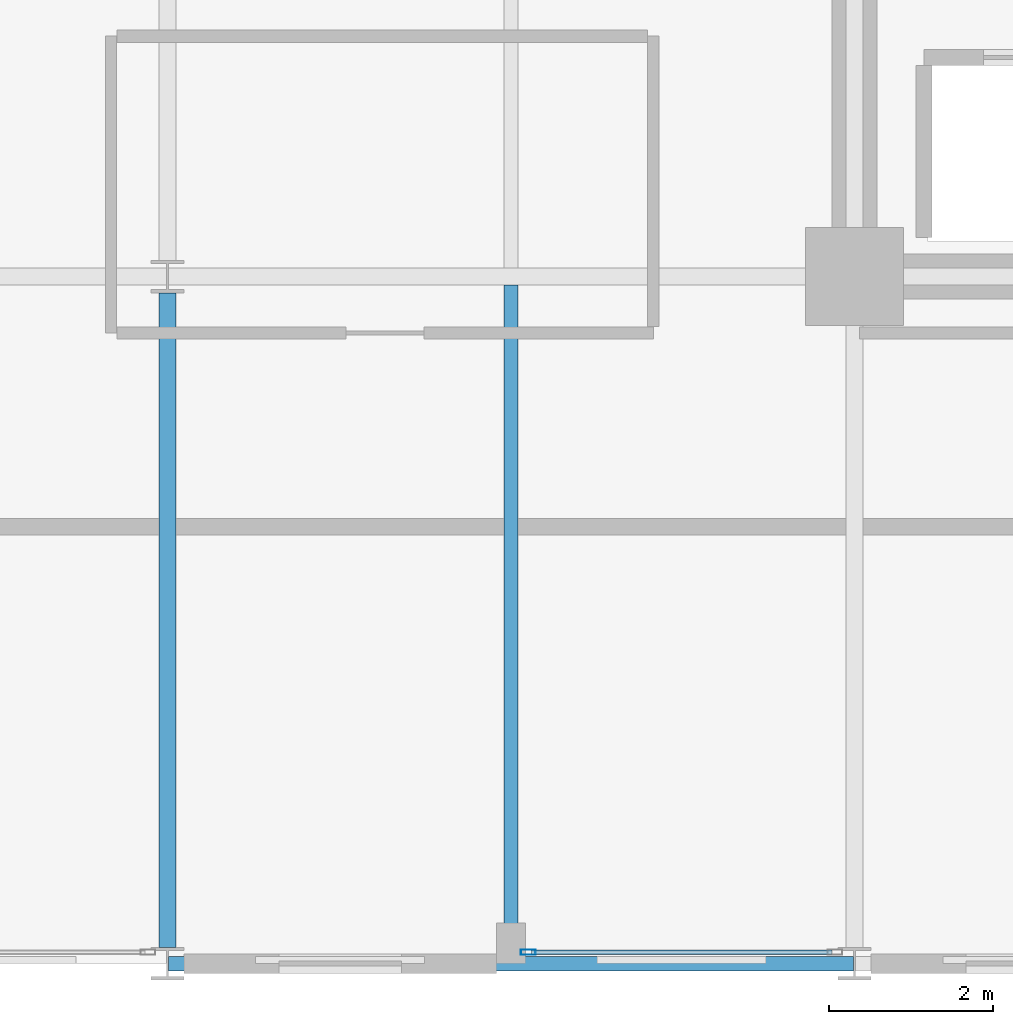
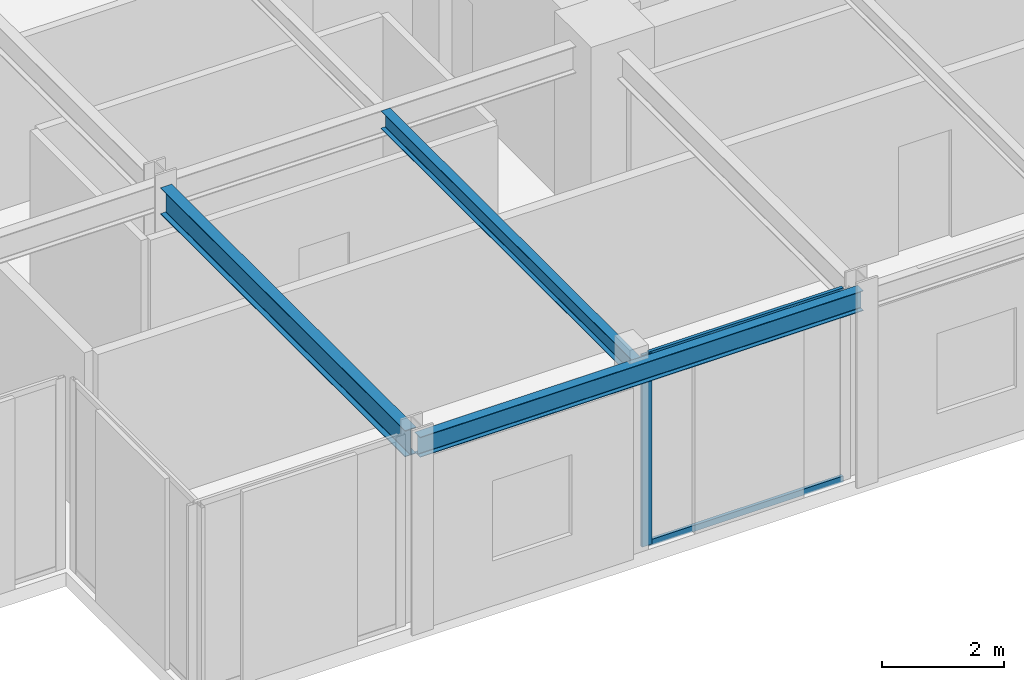
# One storey, part 3 of 29: 3 beams, 3 members, 1 element without a shape of its own.
"""IFC4 building model written with IfcOpenShell, lengths in metres."""

from ifc_helpers import new_model, si_unit, direction, frame, origin, origin_2d, place, context, subcontext, project, spatial, hollow_rectangle, i_section, extrude, material, layer, layer_set, material_profile, profile_set, type_object, element, aggregate, save


model = new_model("IFC4")

# Units and contexts
model_context = context("Model", 3, precision=1e-05, world=origin(), true_north=direction((0.0, 1.0)))
body_context = subcontext(model_context, "Body", "Model", "MODEL_VIEW")
ifc_project = project(units=[si_unit("LENGTHUNIT", "METRE"), si_unit("AREAUNIT", "SQUARE_METRE"), si_unit("VOLUMEUNIT", "CUBIC_METRE"), si_unit("PLANEANGLEUNIT", "RADIAN"), si_unit("MASSUNIT", "GRAM", prefix="KILO")], contexts=[model_context])

# Site, building, storey
site_placement = place(None, origin())
site = spatial("IfcSite", under=ifc_project, at=site_placement, CompositionType="ELEMENT")
building_placement = place(site_placement, origin())
building = spatial("IfcBuilding", under=site, at=building_placement, Name="Nerrivon Quay Data Exchange", CompositionType="ELEMENT")
storey_placement = place(building_placement, frame((0.0, 0.0, 133.60009765625)))
storey = spatial("IfcBuildingStorey", under=building, at=storey_placement, Name="L31", CompositionType="ELEMENT", Elevation=133.60009765625)

# Beams
ifc_material_1 = material(Name="Steel Grade 350", Category="steel")
ifc_material_profile_1 = material_profile(ifc_material_1, i_section(OverallWidth=0.208984375, OverallDepth=0.528076171875, WebThickness=0.009521484375, FlangeThickness=0.01318359375, FilletRadius=0.013916015625, at=origin_2d()), Name="530UB82.0")
ifc_profile_set_1 = profile_set([ifc_material_profile_1], Name="Steel Grade 350")
beam_type_1 = type_object("IfcBeamType", Name="BM-G4-530UB82", PredefinedType="BEAM", material=ifc_profile_set_1)
beam_1_placement = place(storey_placement, frame((8.39990234375, 0.199951171875, 3.560791015625), z_axis=(0.0, 1.0, 0.0), x_axis=(-1.0, 0.0, 0.0)))
element("IfcBeam", 1, at=beam_1_placement, inside=storey, type_object=beam_type_1, Name="L31 NS Girder X=8.4 (0.0..8.4)", PredefinedType="BEAM", context=body_context, shape_type="SweptSolid", body=[
    extrude(i_section(OverallWidth=0.208984375, OverallDepth=0.528076171875, WebThickness=0.009521484375, FlangeThickness=0.01318359375, FilletRadius=0.013916015625, at=origin_2d()), origin(), (0.0, 0.0, 1.0), 8.0),
])
ifc_material_profile_2 = material_profile(ifc_material_1, i_section(OverallWidth=0.1708984375, OverallDepth=0.35595703125, WebThickness=0.00732421875, FlangeThickness=0.011474609375, FilletRadius=0.011474609375, at=origin_2d()), Name="360UB50.7")
ifc_profile_set_2 = profile_set([ifc_material_profile_2], Name="Steel Grade 350")
beam_type_2 = type_object("IfcBeamType", Name="BM-J4-360UB51", PredefinedType="JOIST", material=ifc_profile_set_2)
beam_2_placement = place(storey_placement, frame((12.60009765625, 0.089111328125, 3.64697265625), z_axis=(0.0, 1.0, 0.0), x_axis=(-1.0, 0.0, 0.0)))
element("IfcBeam", 2, at=beam_2_placement, inside=storey, type_object=beam_type_2, Name="L31 Secondary Joist X=12.6 (0.0..8.4)", PredefinedType="JOIST", context=body_context, shape_type="SweptSolid", body=[
    extrude(i_section(OverallWidth=0.1708984375, OverallDepth=0.35595703125, WebThickness=0.00732421875, FlangeThickness=0.011474609375, FilletRadius=0.011474609375, at=origin_2d()), origin(), (0.0, 0.0, 1.0), 8.206298828125),
])
ifc_material_profile_3 = material_profile(ifc_material_1, i_section(OverallWidth=0.177978515625, OverallDepth=0.403076171875, WebThickness=0.007568359375, FlangeThickness=0.010986328125, FilletRadius=0.011474609375, at=origin_2d()), Name="410UB53.7")
ifc_profile_set_3 = profile_set([ifc_material_profile_3], Name="Steel Grade 350")
beam_type_3 = type_object("IfcBeamType", Name="BM-SP2-410UB54", PredefinedType="SPANDREL", material=ifc_profile_set_3)
beam_3_placement = place(storey_placement, frame((8.41259765625, 0.0, 3.623291015625), z_axis=(1.0, 0.0, 0.0), x_axis=(0.0, 1.0, 0.0)))
element("IfcBeam", 3, at=beam_3_placement, inside=storey, type_object=beam_type_3, Name="L31 EW Girder Y=0.0 (8.4..16.8)", PredefinedType="SPANDREL", context=body_context, shape_type="SweptSolid", body=[
    extrude(i_section(OverallWidth=0.177978515625, OverallDepth=0.403076171875, WebThickness=0.007568359375, FlangeThickness=0.010986328125, FilletRadius=0.011474609375, at=origin_2d()), origin(), (0.0, 0.0, 1.0), 8.375),
])

# Curtain wall, members
ifc_material_2 = material(Name="Anodised aluminium 6063-T6", Category="aluminium")
ifc_layer = layer(ifc_material_2, 0.2099609375)
ifc_layer_set = layer_set([ifc_layer], Name="Anodised aluminium 6063-T6")
curtain_wall_type = type_object("IfcCurtainWallType", Name="CW-SYS-02", PredefinedType="NOTDEFINED", material=ifc_layer_set)
curtain_wall_placement = place(storey_placement, origin())
curtain_wall = element("IfcCurtainWall", 4, at=curtain_wall_placement, inside=storey, type_object=curtain_wall_type, Name="L31 Unitised Curtain Wall 6", PredefinedType="NOTDEFINED")
ifc_material_profile_4 = material_profile(ifc_material_2, hollow_rectangle(XDim=0.06494140625, YDim=0.179931640625, WallThickness=0.00341796875, at=origin_2d()), Name="ALU-MULL-180x65")
ifc_profile_set_4 = profile_set([ifc_material_profile_4], Name="Anodised aluminium 6063-T6")
member_type_1 = type_object("IfcMemberType", Name="CWM-180x65", PredefinedType="MULLION", material=ifc_profile_set_4)
member_1_placement = place(storey_placement, frame((12.8125, 0.139892578125, 0.0), z_axis=(0.0, 0.0, 1.0), x_axis=(0.0, -1.0, 0.0)))
member_1 = element("IfcMember", 5, at=member_1_placement, type_object=member_type_1, Name="CW02 mullion 2", PredefinedType="MULLION", context=body_context, shape_type="SweptSolid", body=[
    extrude(hollow_rectangle(XDim=0.06494140625, YDim=0.179931640625, WallThickness=0.00341796875, at=origin_2d()), origin(), (0.0, 0.0, 1.0), 3.824951171875),
])
ifc_material_profile_5 = material_profile(ifc_material_2, hollow_rectangle(XDim=0.06005859375, YDim=0.1201171875, WallThickness=0.003173828125, at=origin_2d()), Name="ALU-TRAN-120x60")
ifc_profile_set_5 = profile_set([ifc_material_profile_5], Name="Anodised aluminium 6063-T6")
member_type_2 = type_object("IfcMemberType", Name="CWT-120x60", PredefinedType="USERDEFINED", material=ifc_profile_set_5)
member_2_placement = place(storey_placement, frame((16.52490234375, 0.139892578125, 0.032470703125), z_axis=(-1.0, 0.0, 0.0), x_axis=(0.0, -1.0, 0.0)))
member_2 = element("IfcMember", 6, at=member_2_placement, type_object=member_type_2, Name="CW02 transom 1.1", ObjectType="TRANSOM", PredefinedType="USERDEFINED", context=body_context, shape_type="SweptSolid", body=[
    extrude(hollow_rectangle(XDim=0.06005859375, YDim=0.1201171875, WallThickness=0.003173828125, at=origin_2d()), origin(), (0.0, 0.0, 1.0), 3.6748046875),
])
member_3_placement = place(storey_placement, frame((16.52490234375, 0.139892578125, 3.79248046875), z_axis=(-1.0, 0.0, 0.0), x_axis=(0.0, -1.0, 0.0)))
member_3 = element("IfcMember", 7, at=member_3_placement, type_object=member_type_2, Name="CW02 transom 1.2", ObjectType="TRANSOM", PredefinedType="USERDEFINED", context=body_context, shape_type="SweptSolid", body=[
    extrude(hollow_rectangle(XDim=0.06005859375, YDim=0.1201171875, WallThickness=0.003173828125, at=origin_2d()), origin(), (0.0, 0.0, 1.0), 3.6748046875),
])
aggregate(curtain_wall, [member_1, member_2, member_3])

save(model, "model.ifc")
